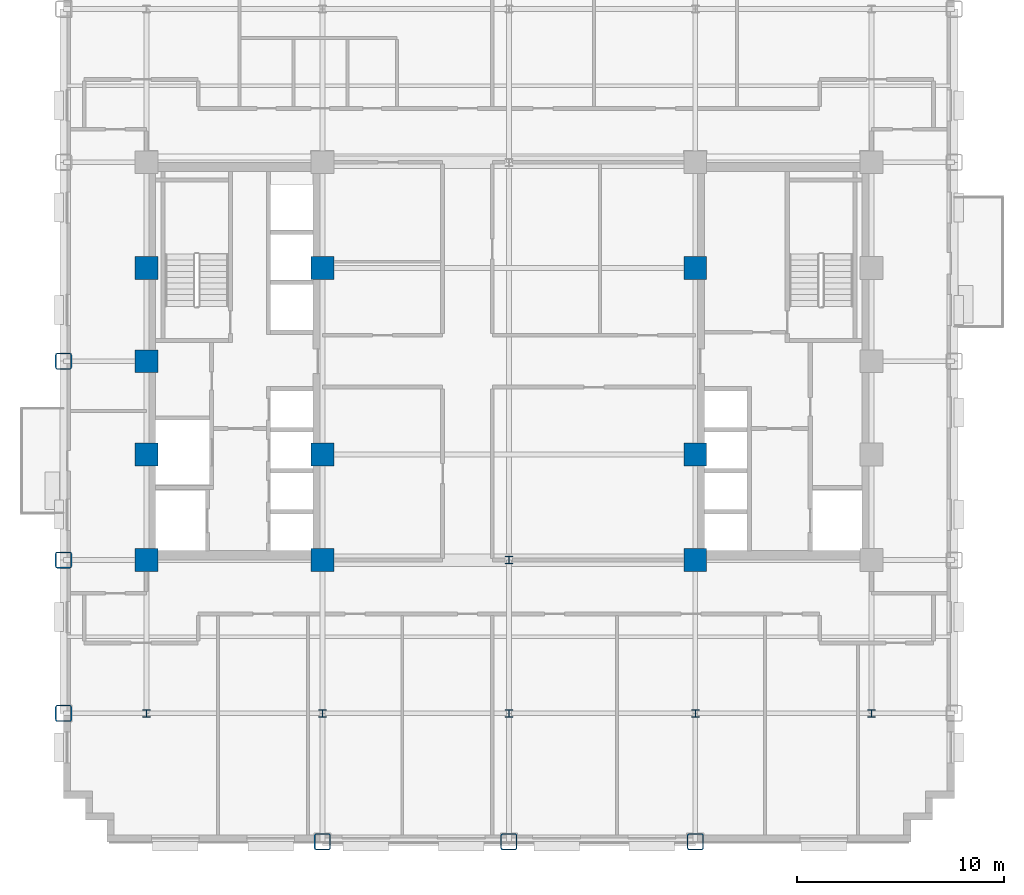
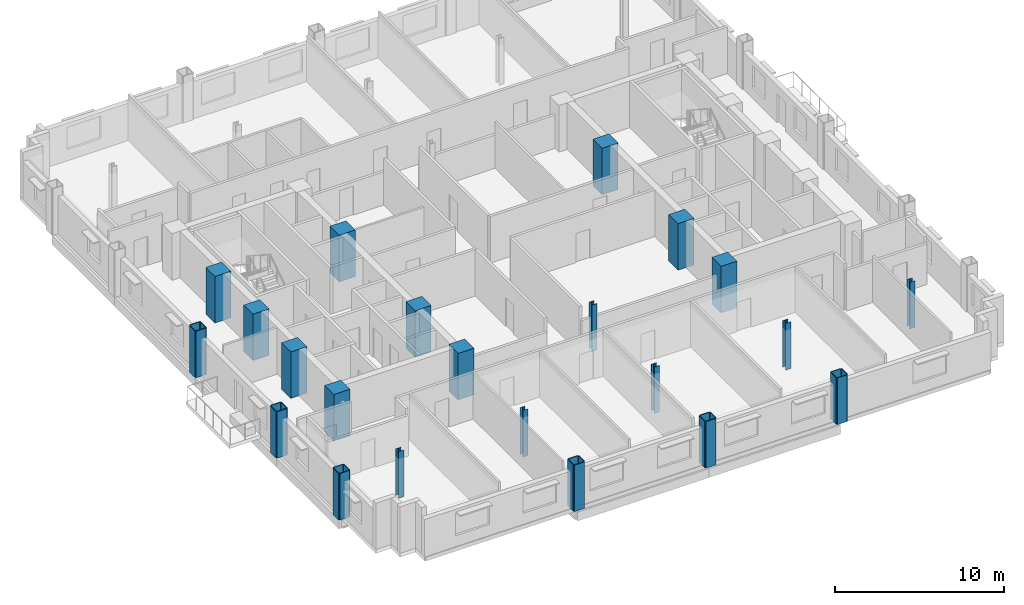
# One storey, part 1 of 14: 22 columns.
"""IFC4 building model written with IfcOpenShell, lengths in metres."""

import ifcopenshell
import ifcopenshell.guid

model = None  # the IFC model being written
_history = None  # IfcOwnerHistory: only IFC2X3 demands one
_inside = {}  # id of a spatial element -> (the spatial element, [elements in it])
_under = {}  # id of a project, library or spatial element -> (it, [spatial elements below it])
_declared = {}  # id of a project -> (the project, [libraries it declares])
_typed = {}  # id of a type object -> (the type object, [elements of that type])
_made_of = {}  # id of a material, layer set ... -> (it, [elements and type objects made of it])


def new_model(schema):
    """Start an empty IFC model of exactly this schema.

    Asked for "IFC4X3", IfcOpenShell would pick the latest addendum, in which some entities
    have other attributes; the version numbers below select the first issue.
    IFC2X3 requires an IfcOwnerHistory on every rooted entity: one is made here for all.
    """
    global model, _history
    if schema == "IFC4X3":
        model = ifcopenshell.file(schema_version=(4, 3, 0, 0))
    else:
        model = ifcopenshell.file(schema=schema)
    _inside.clear()
    _under.clear()
    _declared.clear()
    _typed.clear()
    _made_of.clear()
    _history = None
    if model.schema == "IFC2X3":
        org = make("IfcOrganization", Name="unknown")
        user = make(
            "IfcPersonAndOrganization",
            ThePerson=make("IfcPerson", FamilyName="unknown"),
            TheOrganization=org,
        )
        app = make(
            "IfcApplication",
            ApplicationDeveloper=org,
            Version="unknown",
            ApplicationFullName="unknown",
            ApplicationIdentifier="unknown",
        )
        _history = make(
            "IfcOwnerHistory",
            OwningUser=user,
            OwningApplication=app,
            ChangeAction="ADDED",
            CreationDate=0,
        )
    return model


def make(cls, **values):
    """One entity of the class cls with the attributes given. An attribute that is None is left unset."""
    return model.create_entity(
        cls, **{name: value for name, value in values.items() if value is not None}
    )


def rooted(cls, **values):
    """An entity with a GlobalId (a new one), such as an element, a storey or a relation."""
    return make(cls, GlobalId=ifcopenshell.guid.new(), OwnerHistory=_history, **values)


def si_unit(unit_type, name, prefix=None):
    """IfcSIUnit, for example si_unit("LENGTHUNIT", "METRE", prefix="MILLI")."""
    return make("IfcSIUnit", UnitType=unit_type, Prefix=prefix, Name=name)


def assignment(units):
    """IfcUnitAssignment: the units of a project."""
    return None if units is None else make("IfcUnitAssignment", Units=units)


def point(xyz):
    """IfcCartesianPoint."""
    return None if xyz is None else make("IfcCartesianPoint", Coordinates=xyz)


def direction(xyz):
    """IfcDirection."""
    return None if xyz is None else make("IfcDirection", DirectionRatios=xyz)


def frame(location, z_axis=None, x_axis=None):
    """IfcAxis2Placement3D, a coordinate frame: its origin and axes. An axis left out is left unset."""
    return make(
        "IfcAxis2Placement3D",
        Location=point(location),
        Axis=direction(z_axis),
        RefDirection=direction(x_axis),
    )


def frame_2d(location, x_axis=None):
    """IfcAxis2Placement2D, a coordinate frame in the plane: its origin and x axis."""
    return make(
        "IfcAxis2Placement2D", Location=point(location), RefDirection=direction(x_axis)
    )


def origin():
    """The frame at (0, 0, 0) with its axes left unset."""
    return frame((0.0, 0.0, 0.0))


def origin_2d():
    """The frame at (0, 0) in the plane with its x axis left unset."""
    return frame_2d((0.0, 0.0))


def place(relative_to, where):
    """IfcLocalPlacement: puts the frame where relative to a parent placement (None: the world)."""
    return make(
        "IfcLocalPlacement", PlacementRelTo=relative_to, RelativePlacement=where
    )


def context(
    kind, dimensions, precision=None, world=None, true_north=None, identifier=None
):
    """IfcGeometricRepresentationContext, for example the 3D "Model" context."""
    return make(
        "IfcGeometricRepresentationContext",
        ContextIdentifier=identifier,
        ContextType=kind,
        CoordinateSpaceDimension=dimensions,
        Precision=precision,
        WorldCoordinateSystem=world,
        TrueNorth=true_north,
    )


def subcontext(parent, identifier, kind, view, scale=None):
    """IfcGeometricRepresentationSubContext, for example "Body" below "Model"."""
    return make(
        "IfcGeometricRepresentationSubContext",
        ContextIdentifier=identifier,
        ContextType=kind,
        ParentContext=parent,
        TargetScale=scale,
        TargetView=view,
    )


def project(units=None, contexts=None):
    """IfcProject with its units and contexts."""
    return rooted(
        "IfcProject",
        Name="project",
        RepresentationContexts=contexts,
        UnitsInContext=assignment(units),
    )


def spatial(cls, under=None, at=None, **own):
    """A site, building, storey or space (cls), placed at a placement, below another one or the project."""
    s = rooted(cls, ObjectPlacement=at, **own)
    if under is not None:
        _under.setdefault(under.id(), (under, []))[1].append(s)
    return s


def profile(cls, at=None, kind="AREA", **sizes):
    """A parametric profile (cls). Its sizes go by their IFC names, for example OverallWidth=200.0."""
    return make(cls, ProfileType=kind, Position=at, **sizes)


def rectangle(**sizes):
    """IfcRectangleProfileDef."""
    return profile("IfcRectangleProfileDef", **sizes)


def hollow_rectangle(**sizes):
    """IfcRectangleHollowProfileDef."""
    return profile("IfcRectangleHollowProfileDef", **sizes)


def i_section(**sizes):
    """IfcIShapeProfileDef."""
    return profile("IfcIShapeProfileDef", **sizes)


def extrude(swept, where, along, depth):
    """IfcExtrudedAreaSolid: the profile swept, set in the frame where, extruded along a direction by depth."""
    return make(
        "IfcExtrudedAreaSolid",
        SweptArea=swept,
        Position=where,
        ExtrudedDirection=direction(along),
        Depth=depth,
    )


def shape(context_of_items, identifier, shape_type, items):
    """IfcShapeRepresentation: the items that make up one representation, for example the "Body"."""
    return make(
        "IfcShapeRepresentation",
        ContextOfItems=context_of_items,
        RepresentationIdentifier=identifier,
        RepresentationType=shape_type,
        Items=items,
    )


def material(Name=None, Category=None):
    """IfcMaterial."""
    return make("IfcMaterial", Name=Name, Category=Category)


def material_profile(
    of_material, cross_section, Name=None, Category=None, Priority=None
):
    """IfcMaterialProfile: a cross section and its material."""
    return make(
        "IfcMaterialProfile",
        Name=Name,
        Material=of_material,
        Profile=cross_section,
        Priority=Priority,
        Category=Category,
    )


def profile_set(profiles, Name=None, composite=None):
    """IfcMaterialProfileSet."""
    return make(
        "IfcMaterialProfileSet",
        Name=Name,
        MaterialProfiles=profiles,
        CompositeProfile=composite,
    )


def made_of(thing, what):
    """Note that an element or type object is made of a material, layer set ...; save() writes the relation."""
    if what is not None:
        _made_of.setdefault(what.id(), (what, []))[1].append(thing)
    return thing


def type_object(cls, material=None, **own):
    """A type object (cls), such as IfcWallType, which elements share."""
    return made_of(rooted(cls, **own), material)


def element(
    cls,
    number,
    at=None,
    inside=None,
    cuts=None,
    type_object=None,
    material=None,
    context=None,
    identifier="Body",
    shape_type=None,
    held_by="IfcProductDefinitionShape",
    body=None,
    shapes=None,
    **own,
):
    """One element of the class cls, such as IfcWall. Its Tag is "e" and its number.

    at: its placement. inside: the storey or other place that contains it. cuts: it is an
    opening in that element (IfcRelVoidsElement). A single representation is given by context,
    identifier, shape_type and body (its items); several are given by shapes. held_by: the class
    of the entity that holds the representations. save() writes the other relations.
    """
    e = rooted(cls, Tag="e%d" % number, ObjectPlacement=at, **own)
    if body is not None:
        shapes = [shape(context, identifier, shape_type, body)]
    if shapes is not None:
        e.Representation = make(held_by, Representations=shapes)
    if inside is not None:
        _inside.setdefault(inside.id(), (inside, []))[1].append(e)
    if cuts is not None:
        rooted(
            "IfcRelVoidsElement", RelatingBuildingElement=cuts, RelatedOpeningElement=e
        )
    if type_object is not None:
        _typed.setdefault(type_object.id(), (type_object, []))[1].append(e)
    return made_of(e, material)


def aggregate(whole, parts):
    """IfcRelAggregates: a whole, such as a stair, and the parts it consists of."""
    return rooted("IfcRelAggregates", RelatingObject=whole, RelatedObjects=parts)


def save(model, path):
    """Write the relations noted so far, then the file.

    IfcRelAggregates (storeys below a building ...), IfcRelContainedInSpatialStructure (elements
    in a storey), IfcRelDefinesByType, IfcRelAssociatesMaterial and IfcRelDeclares: one each for
    every whole, place, type object, material and project.
    """
    for whole, parts in _under.values():
        aggregate(whole, parts)
    for where, things in _inside.values():
        rooted(
            "IfcRelContainedInSpatialStructure",
            RelatedElements=things,
            RelatingStructure=where,
        )
    for kind, things in _typed.values():
        rooted("IfcRelDefinesByType", RelatedObjects=things, RelatingType=kind)
    for what, things in _made_of.values():
        rooted("IfcRelAssociatesMaterial", RelatedObjects=things, RelatingMaterial=what)
    for by, libraries in _declared.values():
        rooted("IfcRelDeclares", RelatingContext=by, RelatedDefinitions=libraries)
    model.write(path)


model = new_model("IFC4")

# Units and contexts
model_context = context("Model", 3, precision=1e-05, world=origin(), true_north=direction((0.0, 1.0)))
body_context = subcontext(model_context, "Body", "Model", "MODEL_VIEW")
ifc_project = project(units=[si_unit("LENGTHUNIT", "METRE"), si_unit("AREAUNIT", "SQUARE_METRE"), si_unit("VOLUMEUNIT", "CUBIC_METRE"), si_unit("PLANEANGLEUNIT", "RADIAN"), si_unit("MASSUNIT", "GRAM", prefix="KILO")], contexts=[model_context])

# Site, building, storey
site_placement = place(None, origin())
site = spatial("IfcSite", under=ifc_project, at=site_placement, CompositionType="ELEMENT")
building_placement = place(site_placement, origin())
building = spatial("IfcBuilding", under=site, at=building_placement, Name="Nuvemarco Arch Tower", CompositionType="ELEMENT")
storey_placement = place(building_placement, frame((0.0, 0.0, 71.39990234375)))
storey = spatial("IfcBuildingStorey", under=building, at=storey_placement, Name="L18", CompositionType="ELEMENT", Elevation=71.39990234375)

# Columns
ifc_material_1 = material(Name="Concrete C60/75", Category="concrete")
ifc_material_profile_1 = material_profile(ifc_material_1, rectangle(XDim=1.10009765625, YDim=1.10009765625, at=origin_2d()), Name="RC-COL-1100x1100")
ifc_profile_set_1 = profile_set([ifc_material_profile_1], Name="Concrete C60/75")
column_type_1 = type_object("IfcColumnType", Name="COL-CORE-1100", PredefinedType="COLUMN", material=ifc_profile_set_1)
for number, where, z_axis, x_axis, name in (
    (1, (-17.5, -9.60009765625, 0.0), (0.0, 0.0, 1.0), (1.0, 0.0, 0.0), "L18 column CC_-17.5_-9.6"),
    (2, (-17.5, -4.5, 0.0), (0.0, 0.0, 1.0), (1.0, 0.0, 0.0), "L18 column CC_-17.5_-4.5"),
    (3, (-17.5, 4.5, 0.0), (0.0, 0.0, 1.0), (1.0, 0.0, 0.0), "L18 column CC_-17.5_+4.5"),
    (4, (-9.0, -9.60009765625, 0.0), (0.0, 0.0, 1.0), (1.0, 0.0, 0.0), "L18 column CC_-9.0_-9.6"),
    (5, (-9.0, -4.5, 0.0), (0.0, 0.0, 1.0), (1.0, 0.0, 0.0), "L18 column CC_-9.0_-4.5"),
    (6, (-9.0, 4.5, 0.0), (0.0, 0.0, 1.0), (1.0, 0.0, 0.0), "L18 column CC_-9.0_+4.5"),
    (7, (9.0, -9.60009765625, 0.0), (0.0, 0.0, 1.0), (1.0, 0.0, 0.0), "L18 column CC_+9.0_-9.6"),
    (8, (9.0, -4.5, 0.0), (0.0, 0.0, 1.0), (1.0, 0.0, 0.0), "L18 column CC_+9.0_-4.5"),
    (9, (9.0, 4.5, 0.0), (0.0, 0.0, 1.0), (1.0, 0.0, 0.0), "L18 column CC_+9.0_+4.5"),
    (10, (-17.5, 0.0, 0.0), (0.0, 0.0, 1.0), (1.0, 0.0, 0.0), "L18 column CC_-17.5_+0.0"),
):
    element("IfcColumn", number, at=place(storey_placement, frame(where, z_axis=z_axis, x_axis=x_axis)), inside=storey, type_object=column_type_1, Name=name, PredefinedType="COLUMN", context=body_context, shape_type="SweptSolid", body=[
        extrude(rectangle(XDim=1.10009765625, YDim=1.10009765625, at=origin_2d()), origin(), (0.0, 0.0, 1.0), 3.3701171875),
    ])
ifc_material_2 = material(Name="Steel S460", Category="steel")
ifc_material_profile_2 = material_profile(ifc_material_2, hollow_rectangle(XDim=0.800048828125, YDim=0.800048828125, WallThickness=0.054931640625, InnerFilletRadius=0.054931640625, OuterFilletRadius=0.110107421875, at=origin_2d()), Name="SHS800x800x55")
ifc_profile_set_2 = profile_set([ifc_material_profile_2], Name="Steel S460")
column_type_2 = type_object("IfcColumnType", Name="COL-EXO-800", PredefinedType="COLUMN", material=ifc_profile_set_2)
for number, where, z_axis, x_axis, name in (
    (11, (-21.5, -17.0, 0.0), (0.0, 0.0, 1.0), (1.0, 0.0, 0.0), "L18 column CX_-21.5_-17.0"),
    (12, (-21.5, -9.60009765625, 0.0), (0.0, 0.0, 1.0), (1.0, 0.0, 0.0), "L18 column CX_-21.5_-9.6"),
    (13, (-21.5, 0.0, 0.0), (0.0, 0.0, 1.0), (1.0, 0.0, 0.0), "L18 column CX_-21.5_+0.0"),
    (14, (-9.0, -23.199951171875, 0.0), (0.0, 0.0, 1.0), (1.0, 0.0, 0.0), "L18 column CY_-9.0_-23.2"),
    (15, (0.0, -23.199951171875, 0.0), (0.0, 0.0, 1.0), (1.0, 0.0, 0.0), "L18 column CY_+0.0_-23.2"),
    (16, (9.0, -23.199951171875, 0.0), (0.0, 0.0, 1.0), (1.0, 0.0, 0.0), "L18 column CY_+9.0_-23.2"),
):
    element("IfcColumn", number, at=place(storey_placement, frame(where, z_axis=z_axis, x_axis=x_axis)), inside=storey, type_object=column_type_2, Name=name, PredefinedType="COLUMN", context=body_context, shape_type="SweptSolid", body=[
        extrude(hollow_rectangle(XDim=0.800048828125, YDim=0.800048828125, WallThickness=0.054931640625, InnerFilletRadius=0.054931640625, OuterFilletRadius=0.110107421875, at=origin_2d()), origin(), (0.0, 0.0, 1.0), 3.3701171875),
    ])
ifc_material_3 = material(Name="Steel S355", Category="steel")
ifc_material_profile_3 = material_profile(ifc_material_3, i_section(OverallWidth=0.360107421875, OverallDepth=0.360107421875, WebThickness=0.0205078125, FlangeThickness=0.0205078125, FilletRadius=0.01806640625, at=origin_2d()), Name="HP360x174")
ifc_profile_set_3 = profile_set([ifc_material_profile_3], Name="Steel S355")
column_type_3 = type_object("IfcColumnType", Name="COL-STL-HP360", PredefinedType="COLUMN", material=ifc_profile_set_3)
for number, where, z_axis, x_axis, name in (
    (17, (0.0, -17.0, 0.0), (0.0, 0.0, 1.0), (1.0, 0.0, 0.0), "L18 column CI_+0.0_-17.0"),
    (18, (0.0, -9.60009765625, 0.0), (0.0, 0.0, 1.0), (1.0, 0.0, 0.0), "L18 column CI_+0.0_-9.6"),
    (19, (-17.5, -17.0, 0.0), (0.0, 0.0, 1.0), (1.0, 0.0, 0.0), "L18 column CI_-17.5_-17.0"),
    (20, (-9.0, -17.0, 0.0), (0.0, 0.0, 1.0), (1.0, 0.0, 0.0), "L18 column CI_-9.0_-17.0"),
    (21, (9.0, -17.0, 0.0), (0.0, 0.0, 1.0), (1.0, 0.0, 0.0), "L18 column CI_+9.0_-17.0"),
    (22, (17.5, -17.0, 0.0), (0.0, 0.0, 1.0), (1.0, 0.0, 0.0), "L18 column CI_+17.5_-17.0"),
):
    element("IfcColumn", number, at=place(storey_placement, frame(where, z_axis=z_axis, x_axis=x_axis)), inside=storey, type_object=column_type_3, Name=name, PredefinedType="COLUMN", context=body_context, shape_type="SweptSolid", body=[
        extrude(i_section(OverallWidth=0.360107421875, OverallDepth=0.360107421875, WebThickness=0.0205078125, FlangeThickness=0.0205078125, FilletRadius=0.01806640625, at=origin_2d()), origin(), (0.0, 0.0, 1.0), 3.3701171875),
    ])

save(model, "model.ifc")
